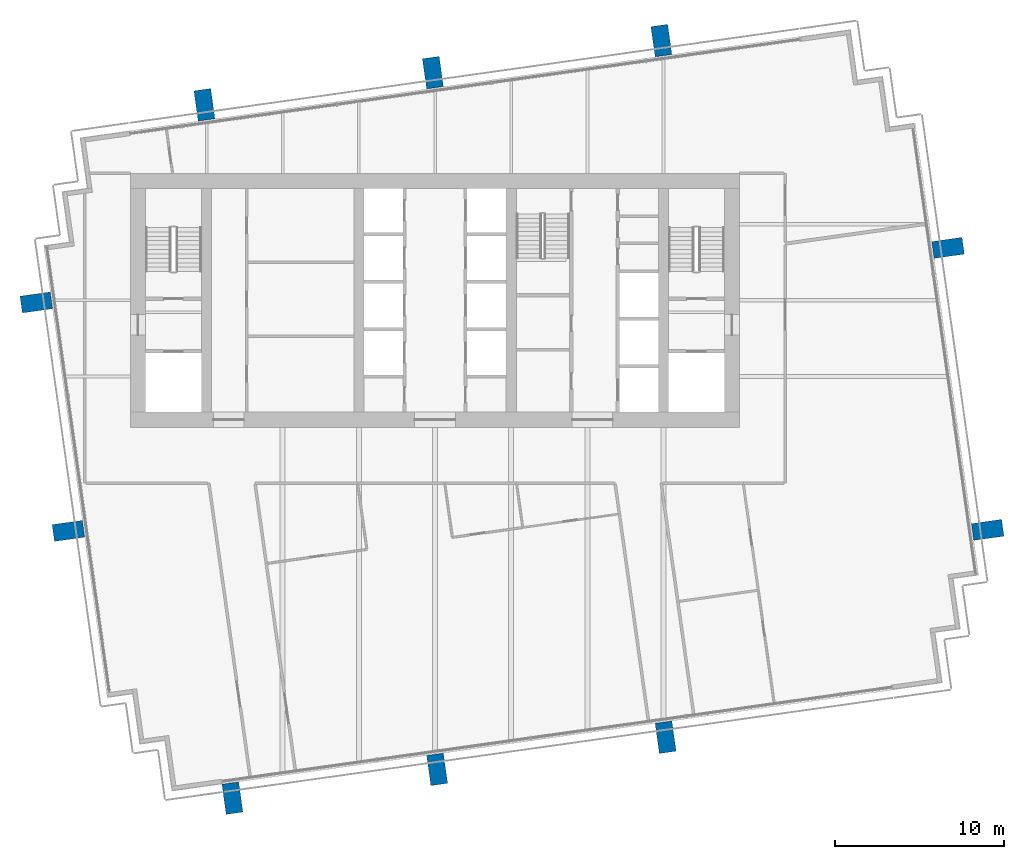
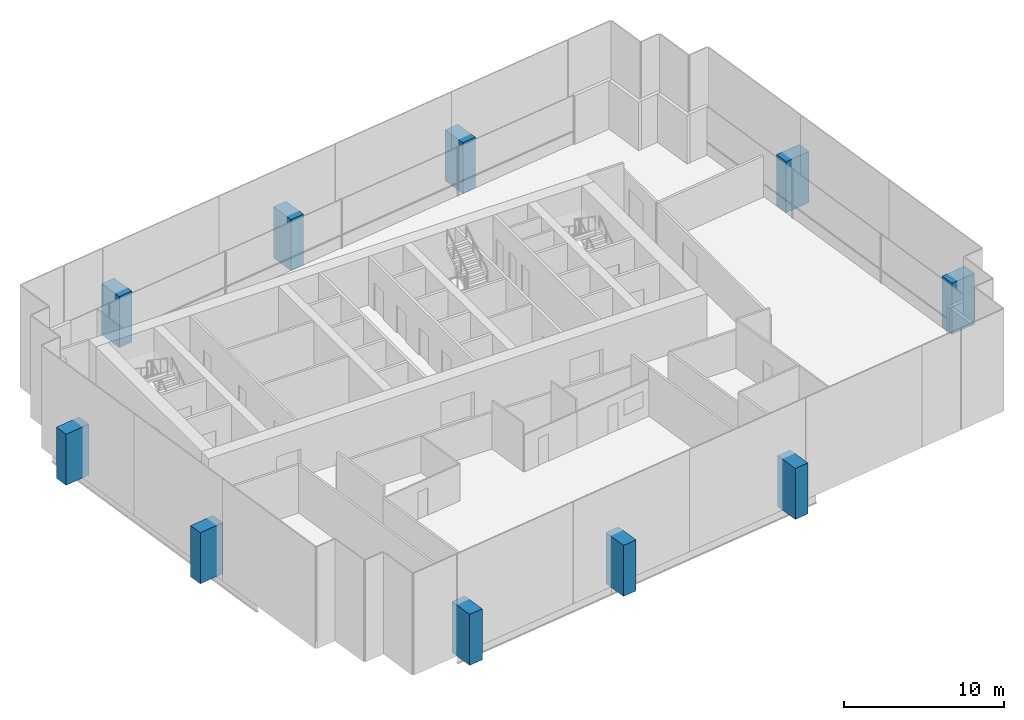
# One storey, part 1 of 17: 10 columns.
"""IFC4 building model written with IfcOpenShell, lengths in metres."""

import ifcopenshell
import ifcopenshell.guid

model = None  # the IFC model being written
_history = None  # IfcOwnerHistory: only IFC2X3 demands one
_inside = {}  # id of a spatial element -> (the spatial element, [elements in it])
_under = {}  # id of a project, library or spatial element -> (it, [spatial elements below it])
_declared = {}  # id of a project -> (the project, [libraries it declares])
_typed = {}  # id of a type object -> (the type object, [elements of that type])
_made_of = {}  # id of a material, layer set ... -> (it, [elements and type objects made of it])


def new_model(schema):
    """Start an empty IFC model of exactly this schema.

    Asked for "IFC4X3", IfcOpenShell would pick the latest addendum, in which some entities
    have other attributes; the version numbers below select the first issue.
    IFC2X3 requires an IfcOwnerHistory on every rooted entity: one is made here for all.
    """
    global model, _history
    if schema == "IFC4X3":
        model = ifcopenshell.file(schema_version=(4, 3, 0, 0))
    else:
        model = ifcopenshell.file(schema=schema)
    _inside.clear()
    _under.clear()
    _declared.clear()
    _typed.clear()
    _made_of.clear()
    _history = None
    if model.schema == "IFC2X3":
        org = make("IfcOrganization", Name="unknown")
        user = make(
            "IfcPersonAndOrganization",
            ThePerson=make("IfcPerson", FamilyName="unknown"),
            TheOrganization=org,
        )
        app = make(
            "IfcApplication",
            ApplicationDeveloper=org,
            Version="unknown",
            ApplicationFullName="unknown",
            ApplicationIdentifier="unknown",
        )
        _history = make(
            "IfcOwnerHistory",
            OwningUser=user,
            OwningApplication=app,
            ChangeAction="ADDED",
            CreationDate=0,
        )
    return model


def make(cls, **values):
    """One entity of the class cls with the attributes given. An attribute that is None is left unset."""
    return model.create_entity(
        cls, **{name: value for name, value in values.items() if value is not None}
    )


def rooted(cls, **values):
    """An entity with a GlobalId (a new one), such as an element, a storey or a relation."""
    return make(cls, GlobalId=ifcopenshell.guid.new(), OwnerHistory=_history, **values)


def si_unit(unit_type, name, prefix=None):
    """IfcSIUnit, for example si_unit("LENGTHUNIT", "METRE", prefix="MILLI")."""
    return make("IfcSIUnit", UnitType=unit_type, Prefix=prefix, Name=name)


def assignment(units):
    """IfcUnitAssignment: the units of a project."""
    return None if units is None else make("IfcUnitAssignment", Units=units)


def point(xyz):
    """IfcCartesianPoint."""
    return None if xyz is None else make("IfcCartesianPoint", Coordinates=xyz)


def direction(xyz):
    """IfcDirection."""
    return None if xyz is None else make("IfcDirection", DirectionRatios=xyz)


def frame(location, z_axis=None, x_axis=None):
    """IfcAxis2Placement3D, a coordinate frame: its origin and axes. An axis left out is left unset."""
    return make(
        "IfcAxis2Placement3D",
        Location=point(location),
        Axis=direction(z_axis),
        RefDirection=direction(x_axis),
    )


def frame_2d(location, x_axis=None):
    """IfcAxis2Placement2D, a coordinate frame in the plane: its origin and x axis."""
    return make(
        "IfcAxis2Placement2D", Location=point(location), RefDirection=direction(x_axis)
    )


def origin():
    """The frame at (0, 0, 0) with its axes left unset."""
    return frame((0.0, 0.0, 0.0))


def origin_2d():
    """The frame at (0, 0) in the plane with its x axis left unset."""
    return frame_2d((0.0, 0.0))


def place(relative_to, where):
    """IfcLocalPlacement: puts the frame where relative to a parent placement (None: the world)."""
    return make(
        "IfcLocalPlacement", PlacementRelTo=relative_to, RelativePlacement=where
    )


def context(
    kind, dimensions, precision=None, world=None, true_north=None, identifier=None
):
    """IfcGeometricRepresentationContext, for example the 3D "Model" context."""
    return make(
        "IfcGeometricRepresentationContext",
        ContextIdentifier=identifier,
        ContextType=kind,
        CoordinateSpaceDimension=dimensions,
        Precision=precision,
        WorldCoordinateSystem=world,
        TrueNorth=true_north,
    )


def subcontext(parent, identifier, kind, view, scale=None):
    """IfcGeometricRepresentationSubContext, for example "Body" below "Model"."""
    return make(
        "IfcGeometricRepresentationSubContext",
        ContextIdentifier=identifier,
        ContextType=kind,
        ParentContext=parent,
        TargetScale=scale,
        TargetView=view,
    )


def project(units=None, contexts=None):
    """IfcProject with its units and contexts."""
    return rooted(
        "IfcProject",
        Name="project",
        RepresentationContexts=contexts,
        UnitsInContext=assignment(units),
    )


def spatial(cls, under=None, at=None, **own):
    """A site, building, storey or space (cls), placed at a placement, below another one or the project."""
    s = rooted(cls, ObjectPlacement=at, **own)
    if under is not None:
        _under.setdefault(under.id(), (under, []))[1].append(s)
    return s


def profile(cls, at=None, kind="AREA", **sizes):
    """A parametric profile (cls). Its sizes go by their IFC names, for example OverallWidth=200.0."""
    return make(cls, ProfileType=kind, Position=at, **sizes)


def rectangle(**sizes):
    """IfcRectangleProfileDef."""
    return profile("IfcRectangleProfileDef", **sizes)


def extrude(swept, where, along, depth):
    """IfcExtrudedAreaSolid: the profile swept, set in the frame where, extruded along a direction by depth."""
    return make(
        "IfcExtrudedAreaSolid",
        SweptArea=swept,
        Position=where,
        ExtrudedDirection=direction(along),
        Depth=depth,
    )


def shape(context_of_items, identifier, shape_type, items):
    """IfcShapeRepresentation: the items that make up one representation, for example the "Body"."""
    return make(
        "IfcShapeRepresentation",
        ContextOfItems=context_of_items,
        RepresentationIdentifier=identifier,
        RepresentationType=shape_type,
        Items=items,
    )


def material(Name=None, Category=None):
    """IfcMaterial."""
    return make("IfcMaterial", Name=Name, Category=Category)


def material_profile(
    of_material, cross_section, Name=None, Category=None, Priority=None
):
    """IfcMaterialProfile: a cross section and its material."""
    return make(
        "IfcMaterialProfile",
        Name=Name,
        Material=of_material,
        Profile=cross_section,
        Priority=Priority,
        Category=Category,
    )


def profile_set(profiles, Name=None, composite=None):
    """IfcMaterialProfileSet."""
    return make(
        "IfcMaterialProfileSet",
        Name=Name,
        MaterialProfiles=profiles,
        CompositeProfile=composite,
    )


def made_of(thing, what):
    """Note that an element or type object is made of a material, layer set ...; save() writes the relation."""
    if what is not None:
        _made_of.setdefault(what.id(), (what, []))[1].append(thing)
    return thing


def type_object(cls, material=None, **own):
    """A type object (cls), such as IfcWallType, which elements share."""
    return made_of(rooted(cls, **own), material)


def element(
    cls,
    number,
    at=None,
    inside=None,
    cuts=None,
    type_object=None,
    material=None,
    context=None,
    identifier="Body",
    shape_type=None,
    held_by="IfcProductDefinitionShape",
    body=None,
    shapes=None,
    **own,
):
    """One element of the class cls, such as IfcWall. Its Tag is "e" and its number.

    at: its placement. inside: the storey or other place that contains it. cuts: it is an
    opening in that element (IfcRelVoidsElement). A single representation is given by context,
    identifier, shape_type and body (its items); several are given by shapes. held_by: the class
    of the entity that holds the representations. save() writes the other relations.
    """
    e = rooted(cls, Tag="e%d" % number, ObjectPlacement=at, **own)
    if body is not None:
        shapes = [shape(context, identifier, shape_type, body)]
    if shapes is not None:
        e.Representation = make(held_by, Representations=shapes)
    if inside is not None:
        _inside.setdefault(inside.id(), (inside, []))[1].append(e)
    if cuts is not None:
        rooted(
            "IfcRelVoidsElement", RelatingBuildingElement=cuts, RelatedOpeningElement=e
        )
    if type_object is not None:
        _typed.setdefault(type_object.id(), (type_object, []))[1].append(e)
    return made_of(e, material)


def aggregate(whole, parts):
    """IfcRelAggregates: a whole, such as a stair, and the parts it consists of."""
    return rooted("IfcRelAggregates", RelatingObject=whole, RelatedObjects=parts)


def save(model, path):
    """Write the relations noted so far, then the file.

    IfcRelAggregates (storeys below a building ...), IfcRelContainedInSpatialStructure (elements
    in a storey), IfcRelDefinesByType, IfcRelAssociatesMaterial and IfcRelDeclares: one each for
    every whole, place, type object, material and project.
    """
    for whole, parts in _under.values():
        aggregate(whole, parts)
    for where, things in _inside.values():
        rooted(
            "IfcRelContainedInSpatialStructure",
            RelatedElements=things,
            RelatingStructure=where,
        )
    for kind, things in _typed.values():
        rooted("IfcRelDefinesByType", RelatedObjects=things, RelatingType=kind)
    for what, things in _made_of.values():
        rooted("IfcRelAssociatesMaterial", RelatedObjects=things, RelatingMaterial=what)
    for by, libraries in _declared.values():
        rooted("IfcRelDeclares", RelatingContext=by, RelatedDefinitions=libraries)
    model.write(path)


model = new_model("IFC4")

# Units and contexts
model_context = context("Model", 3, precision=1e-05, world=origin(), true_north=direction((0.0, 1.0)))
body_context = subcontext(model_context, "Body", "Model", "MODEL_VIEW")
ifc_project = project(units=[si_unit("LENGTHUNIT", "METRE"), si_unit("AREAUNIT", "SQUARE_METRE"), si_unit("VOLUMEUNIT", "CUBIC_METRE"), si_unit("PLANEANGLEUNIT", "RADIAN"), si_unit("MASSUNIT", "GRAM", prefix="KILO")], contexts=[model_context])

# Site, building, storey
site_placement = place(None, origin())
site = spatial("IfcSite", under=ifc_project, at=site_placement, CompositionType="ELEMENT")
building_placement = place(site_placement, origin())
building = spatial("IfcBuilding", under=site, at=building_placement, Name="Rattan Terrace Tower", CompositionType="ELEMENT")
storey_placement = place(building_placement, frame((0.0, 0.0, 213.5)))
storey = spatial("IfcBuildingStorey", under=building, at=storey_placement, Name="L48", CompositionType="ELEMENT", Elevation=213.5)

# Columns
ifc_material = material(Name="Concrete C40/50", Category="concrete")
ifc_material_profile = material_profile(ifc_material, rectangle(XDim=1.0, YDim=1.800048828125, at=origin_2d()), Name="CFT 1800x1000")
ifc_profile_set = profile_set([ifc_material_profile], Name="Concrete C40/50")
column_type = type_object("IfcColumnType", Name="Frame exoskeleton column CFT 1800x1000", PredefinedType="COLUMN", material=ifc_profile_set)
for number, where, z_axis, x_axis, name in (
    (1, (-11.970947265625, -29.416015625, -0.199951171875), (0.0, 0.0, 1.0), (0.990268068742, 0.13917310096, 0.0), "exo-L48-001"),
    (2, (0.125, -27.716064453125, -0.199951171875), (0.0, 0.0, 1.0), (0.990268068742, 0.13917310096, 0.0), "exo-L48-002"),
    (3, (13.625, -25.818115234375, -0.199951171875), (0.0, 0.0, 1.0), (0.990268068742, 0.13917310096, 0.0), "exo-L48-003"),
    (4, (-21.6630859375, -13.625, -0.199951171875), (0.0, 0.0, 1.0), (-0.139190384377, 0.990265639562, 0.0), "exo-L48-004"),
    (5, (32.657958984375, -13.56494140625, -0.199951171875), (0.0, 0.0, 1.0), (-0.139190384377, 0.990265639562, 0.0), "exo-L48-005"),
    (6, (-23.56103515625, -0.125, -0.199951171875), (0.0, 0.0, 1.0), (-0.139190384377, 0.990265639562, 0.0), "exo-L48-006"),
    (7, (30.31494140625, 3.10009765625, -0.199951171875), (0.0, 0.0, 1.0), (-0.139190384377, 0.990265639562, 0.0), "exo-L48-007"),
    (8, (-13.625, 11.552978515625, -0.199951171875), (0.0, 0.0, 1.0), (0.990268068742, 0.13917310096, 0.0), "exo-L48-008"),
    (9, (-0.125, 13.450927734375, -0.199951171875), (0.0, 0.0, 1.0), (0.990268068742, 0.13917310096, 0.0), "exo-L48-009"),
    (10, (13.375, 15.347900390625, -0.199951171875), (0.0, 0.0, 1.0), (0.990268068742, 0.13917310096, 0.0), "exo-L48-010"),
):
    element("IfcColumn", number, at=place(storey_placement, frame(where, z_axis=z_axis, x_axis=x_axis)), inside=storey, type_object=column_type, Name=name, PredefinedType="COLUMN", context=body_context, shape_type="SweptSolid", body=[
        extrude(rectangle(XDim=1.0, YDim=1.800048828125, at=origin_2d()), origin(), (0.0, 0.0, 1.0), 3.89990234375),
    ])

save(model, "model.ifc")
